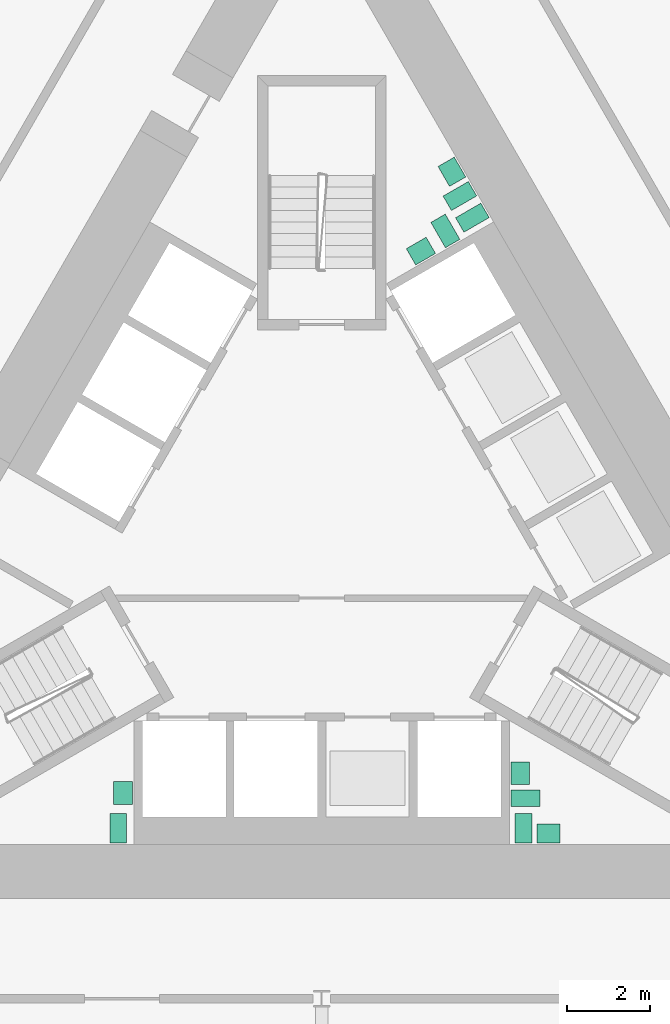
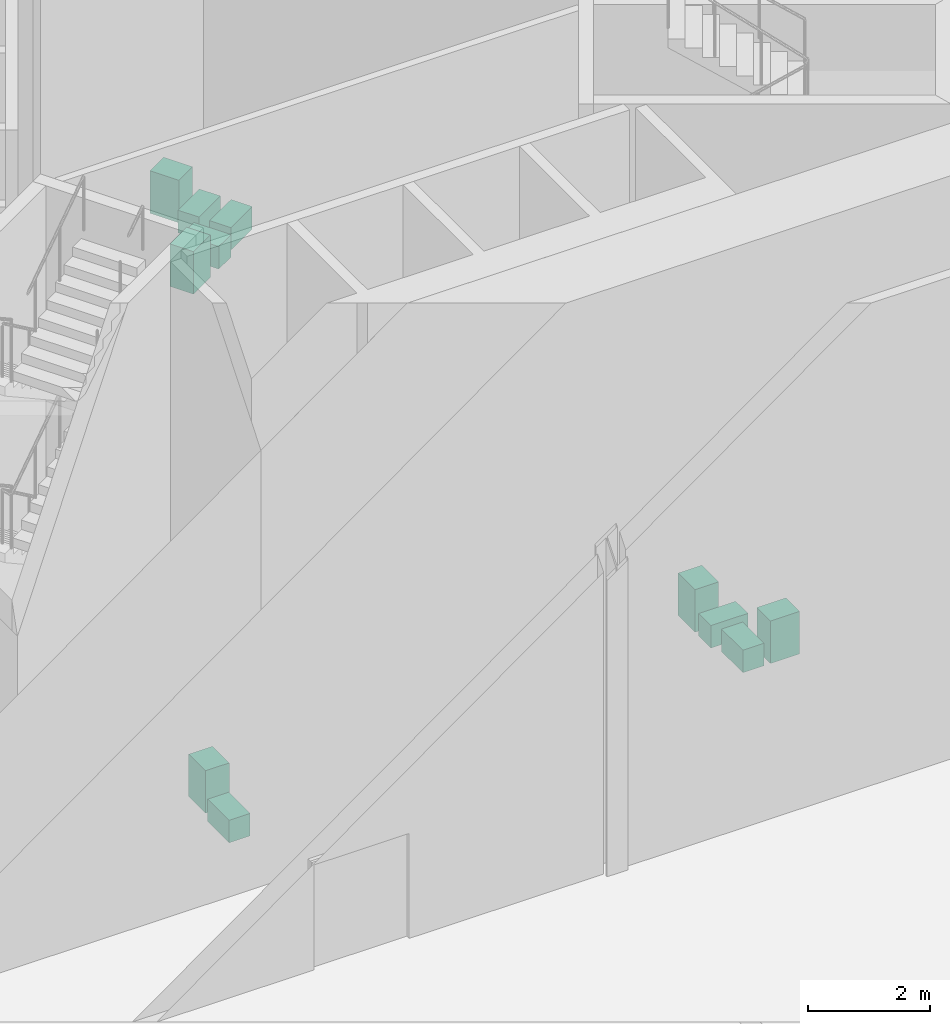
# One storey, part 16 of 17: 11 sanitary terminals.
"""IFC4 building model written with IfcOpenShell, lengths in metres."""

from ifc_helpers import new_model, si_unit, direction, frame, origin, origin_2d, place, context, subcontext, project, spatial, rectangle, extrude, material, type_object, element, save


model = new_model("IFC4")

# Units and contexts
model_context = context("Model", 3, precision=1e-05, world=origin(), true_north=direction((0.0, 1.0)))
body_context = subcontext(model_context, "Body", "Model", "MODEL_VIEW")
ifc_project = project(units=[si_unit("LENGTHUNIT", "METRE"), si_unit("AREAUNIT", "SQUARE_METRE"), si_unit("VOLUMEUNIT", "CUBIC_METRE"), si_unit("PLANEANGLEUNIT", "RADIAN"), si_unit("MASSUNIT", "GRAM", prefix="KILO")], contexts=[model_context])

# Site, building, storey
site_placement = place(None, origin())
site = spatial("IfcSite", under=ifc_project, at=site_placement, CompositionType="ELEMENT")
building_placement = place(site_placement, origin())
building = spatial("IfcBuilding", under=site, at=building_placement, Name="Cormorant Prow Tower", CompositionType="ELEMENT")
storey_placement = place(building_placement, frame((0.0, 0.0, 277.800048828125)))
storey = spatial("IfcBuildingStorey", under=building, at=storey_placement, Name="L63", CompositionType="ELEMENT", Elevation=277.800048828125)

# Sanitary terminals
ifc_material_1 = material(Name="Vitreous china")
sanitary_terminal_type_1 = type_object("IfcSanitaryTerminalType", Name="Wash basin 550x450", PredefinedType="WASHHANDBASIN", material=ifc_material_1)
for number, where, z_axis, x_axis, name in (
    (1, (2.38037109375, 6.877197265625, 0.0), (0.0, 0.0, 1.0), (0.865693600783, 0.50057425979, 0.0), "Wash basin"),
    (2, (3.123779296875, 8.7802734375, 0.0), (0.0, 0.0, 1.0), (-0.5, 0.866025403784, 0.0), "Wash basin"),
    (3, (4.765869140625, -5.650146484375, 0.0), (0.0, 0.0, 1.0), (0.000663225067, -0.999999780066, 0.0), "Wash basin"),
    (4, (5.44189453125, -7.09521484375, 0.0), (0.0, 0.0, 1.0), (1.0, 0.0, 0.0), "Wash basin"),
    (5, (-4.76611328125, -6.1201171875, 0.0), (0.0, 0.0, 1.0), (0.000663225067, 0.999999780066, 0.0), "Wash basin"),
):
    element("IfcSanitaryTerminal", number, at=place(storey_placement, frame(where, z_axis=z_axis, x_axis=x_axis)), inside=storey, type_object=sanitary_terminal_type_1, Name=name, PredefinedType="WASHHANDBASIN", context=body_context, shape_type="SweptSolid", body=[
        extrude(rectangle(XDim=0.550048828125, YDim=0.449951171875, at=origin_2d()), origin(), (0.0, 0.0, 1.0), 0.85009765625),
    ])
ifc_material_2 = material(Name="Vitreous china")
sanitary_terminal_type_2 = type_object("IfcSanitaryTerminalType", Name="Water closet 400x700", PredefinedType="WCSEAT", material=ifc_material_2)
for number, where, z_axis, x_axis, name in (
    (6, (3.615478515625, 7.678466796875, 0.0), (0.0, 0.0, 1.0), (-0.5, 0.866025403784, 0.0), "Water closet"),
    (7, (2.967041015625, 7.361083984375, 0.0), (0.0, 0.0, 1.0), (0.865693600783, 0.50057425979, 0.0), "Water closet"),
    (8, (3.3154296875, 8.197998046875, 0.0), (0.0, 0.0, 1.0), (-0.5, 0.866025403784, 0.0), "Water closet"),
    (9, (4.842041015625, -6.97021484375, 0.0), (0.0, 0.0, 1.0), (1.0, 0.0, 0.0), "Water closet"),
    (10, (4.891357421875, -6.25, 0.0), (0.0, 0.0, 1.0), (0.000663225067, -0.999999780066, 0.0), "Water closet"),
    (11, (-4.87890625, -6.97021484375, 0.0), (0.0, 0.0, 1.0), (1.0, 0.0, 0.0), "Water closet"),
):
    element("IfcSanitaryTerminal", number, at=place(storey_placement, frame(where, z_axis=z_axis, x_axis=x_axis)), inside=storey, type_object=sanitary_terminal_type_2, Name=name, PredefinedType="WCSEAT", context=body_context, shape_type="SweptSolid", body=[
        extrude(rectangle(XDim=0.39990234375, YDim=0.699951171875, at=origin_2d()), origin(), (0.0, 0.0, 1.0), 0.449951171875),
    ])

save(model, "model.ifc")
